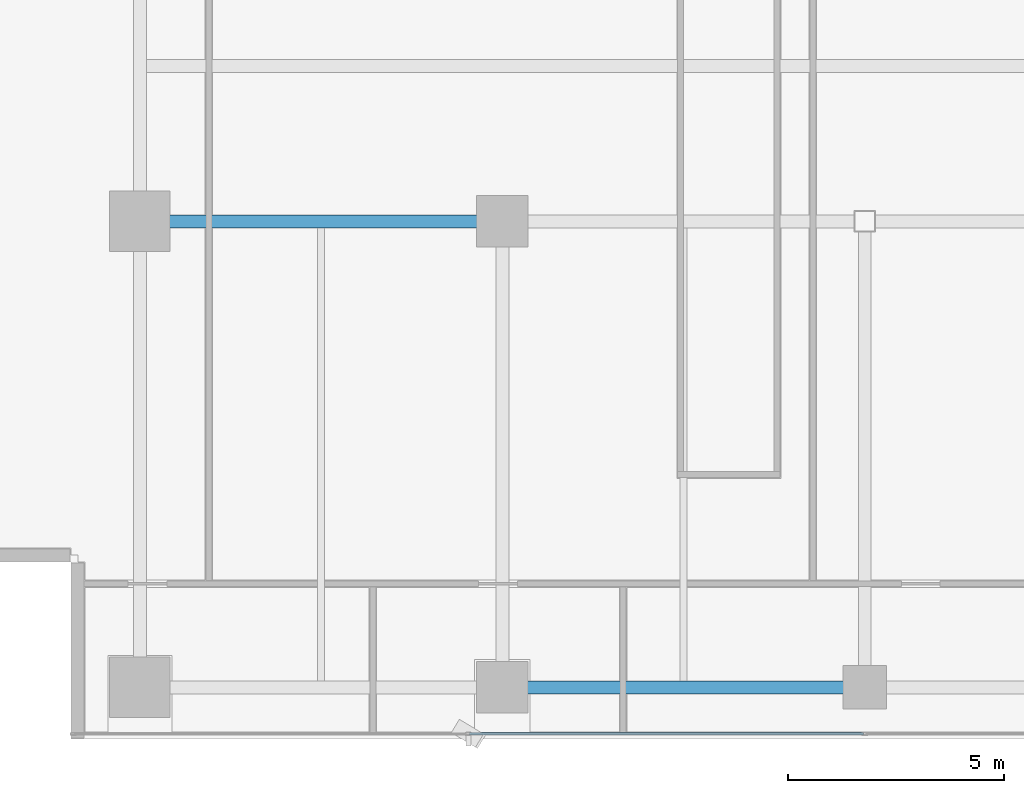
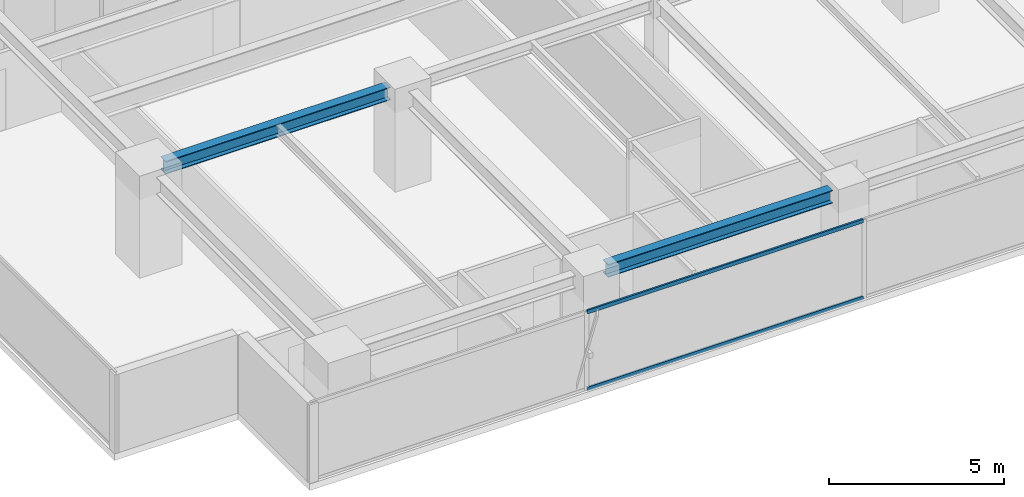
# One storey, part 5 of 26: 2 beams, 2 members, 1 element without a shape of its own.
"""IFC4 building model written with IfcOpenShell, lengths in metres."""

from ifc_helpers import new_model, si_unit, direction, frame, origin, origin_2d, place, context, subcontext, project, spatial, hollow_rectangle, i_section, extrude, source, transform, mapped, material, layer, layer_set, material_profile, profile_set, type_object, element, aggregate, save


model = new_model("IFC4")

# Units and contexts
model_context = context("Model", 3, precision=1e-05, world=origin(), true_north=direction((0.0, 1.0)))
body_context = subcontext(model_context, "Body", "Model", "MODEL_VIEW")
ifc_project = project(units=[si_unit("LENGTHUNIT", "METRE"), si_unit("AREAUNIT", "SQUARE_METRE"), si_unit("VOLUMEUNIT", "CUBIC_METRE"), si_unit("PLANEANGLEUNIT", "RADIAN"), si_unit("MASSUNIT", "GRAM", prefix="KILO")], contexts=[model_context])

# Site, building, storey
site_placement = place(None, origin())
site = spatial("IfcSite", under=ifc_project, at=site_placement, CompositionType="ELEMENT")
building_placement = place(site_placement, origin())
building = spatial("IfcBuilding", under=site, at=building_placement, Name="Sumidabori Civic Tower", CompositionType="ELEMENT")
storey_placement = place(building_placement, frame((0.0, 0.0, 236.0)))
storey = spatial("IfcBuildingStorey", under=building, at=storey_placement, Name="L61", CompositionType="ELEMENT", Elevation=236.0)

# Beams
ifc_material_1 = material(Name="Steel SN490", Category="steel")
ifc_material_profile_1 = material_profile(ifc_material_1, i_section(OverallWidth=0.300048828125, OverallDepth=0.449951171875, WebThickness=0.013916015625, FlangeThickness=0.02587890625, at=origin_2d()), Name="HE 450 B")
ifc_profile_set_1 = profile_set([ifc_material_profile_1], Name="Steel SN490")
beam_type = type_object("IfcBeamType", Name="BM-GIRD-450", PredefinedType="BEAM", material=ifc_profile_set_1)
shared_shape_1 = source(origin(), body_context, "Body", "SweptSolid", [
    extrude(i_section(OverallWidth=0.300048828125, OverallDepth=0.449951171875, WebThickness=0.013916015625, FlangeThickness=0.02587890625, at=origin_2d()), origin(), (0.0, 0.0, 1.0), 7.440185546875),
])
beam_1_placement = place(storey_placement, frame((-16.320068359375, 0.0, 3.14501953125), z_axis=(1.0, 0.0, 0.0), x_axis=(0.0, 1.0, 0.0)))
element("IfcBeam", 1, at=beam_1_placement, inside=storey, type_object=beam_type, Name="Primary Girder L61 GX-05", PredefinedType="BEAM", context=body_context, shape_type="MappedRepresentation", body=[
    mapped(shared_shape_1, transform((0.0, 0.0, 0.0), x_axis=(1.0, 0.0, 0.0), y_axis=(0.0, 1.0, 0.0), z_axis=(0.0, 0.0, 1.0), scale=1.0)),
])
shared_shape_2 = source(origin(), body_context, "Body", "SweptSolid", [
    extrude(i_section(OverallWidth=0.300048828125, OverallDepth=0.449951171875, WebThickness=0.013916015625, FlangeThickness=0.02587890625, at=origin_2d()), origin(), (0.0, 0.0, 1.0), 7.43994140625),
])
beam_2_placement = place(storey_placement, frame((-7.919921875, -10.800048828125, 3.14501953125), z_axis=(1.0, 0.0, 0.0), x_axis=(0.0, 1.0, 0.0)))
element("IfcBeam", 2, at=beam_2_placement, inside=storey, type_object=beam_type, Name="Primary Girder L61 GX-02", PredefinedType="BEAM", context=body_context, shape_type="MappedRepresentation", body=[
    mapped(shared_shape_2, transform((0.0, 0.0, 0.0), x_axis=(1.0, 0.0, 0.0), y_axis=(0.0, 1.0, 0.0), z_axis=(0.0, 0.0, 1.0), scale=1.0)),
])

# Curtain wall, members
ifc_material_2 = material(Name="Anodised Bronze Aluminium AW-6063-T6", Category="aluminium")
ifc_layer = layer(ifc_material_2, 0.179931640625, Name="Anodised Bronze Aluminium AW-6063-T6")
ifc_layer_set = layer_set([ifc_layer], Name="Anodised Bronze Aluminium AW-6063-T6")
curtain_wall_type = type_object("IfcCurtainWallType", Name="CW-SYS-5", PredefinedType="NOTDEFINED", material=ifc_layer_set)
curtain_wall_placement = place(storey_placement, origin())
curtain_wall = element("IfcCurtainWall", 3, at=curtain_wall_placement, inside=storey, type_object=curtain_wall_type, Name="Curtain Wall CW:L61:R01", PredefinedType="NOTDEFINED")
ifc_material_profile_2 = material_profile(ifc_material_2, hollow_rectangle(XDim=0.06005859375, YDim=0.1298828125, WallThickness=0.0048828125, at=origin_2d()), Name="ALU TRANSOM 130x60")
ifc_profile_set_2 = profile_set([ifc_material_profile_2], Name="Anodised Bronze Aluminium AW-6063-T6")
member_type = type_object("IfcMemberType", Name="CW-TRN-130", PredefinedType="USERDEFINED", material=ifc_profile_set_2)
shared_shape_3 = source(origin(), body_context, "Body", "SweptSolid", [
    extrude(hollow_rectangle(XDim=0.06005859375, YDim=0.1298828125, WallThickness=0.0048828125, at=origin_2d()), origin(), (0.0, 0.0, 1.0), 9.125),
])
member_1_placement = place(storey_placement, frame((-9.155029296875, -11.8798828125, 0.030029296875), z_axis=(1.0, 0.0, 0.0), x_axis=(0.0, 1.0, 0.0)))
member_1 = element("IfcMember", 4, at=member_1_placement, type_object=member_type, Name="CW-5 transom 2.1", ObjectType="TRANSOM", PredefinedType="USERDEFINED", context=body_context, shape_type="MappedRepresentation", body=[
    mapped(shared_shape_3, transform((0.0, 0.0, 0.0), x_axis=(1.0, 0.0, 0.0), y_axis=(0.0, 1.0, 0.0), z_axis=(0.0, 0.0, 1.0), scale=1.0)),
])
member_2_placement = place(storey_placement, frame((-9.155029296875, -11.8798828125, 2.719970703125), z_axis=(1.0, 0.0, 0.0), x_axis=(0.0, 1.0, 0.0)))
member_2 = element("IfcMember", 5, at=member_2_placement, type_object=member_type, Name="CW-5 transom 2.2", ObjectType="TRANSOM", PredefinedType="USERDEFINED", context=body_context, shape_type="MappedRepresentation", body=[
    mapped(shared_shape_3, transform((0.0, 0.0, 0.0), x_axis=(1.0, 0.0, 0.0), y_axis=(0.0, 1.0, 0.0), z_axis=(0.0, 0.0, 1.0), scale=1.0)),
])
aggregate(curtain_wall, [member_1, member_2])

save(model, "model.ifc")
